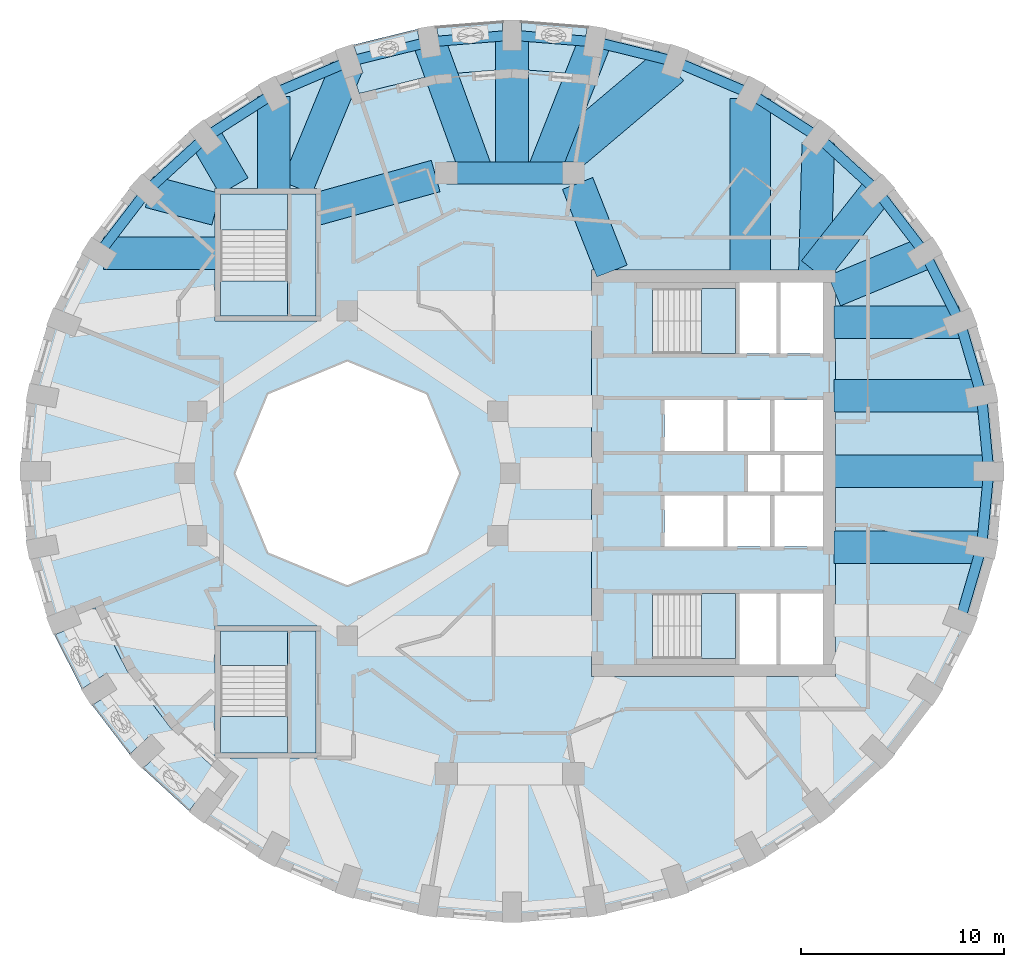
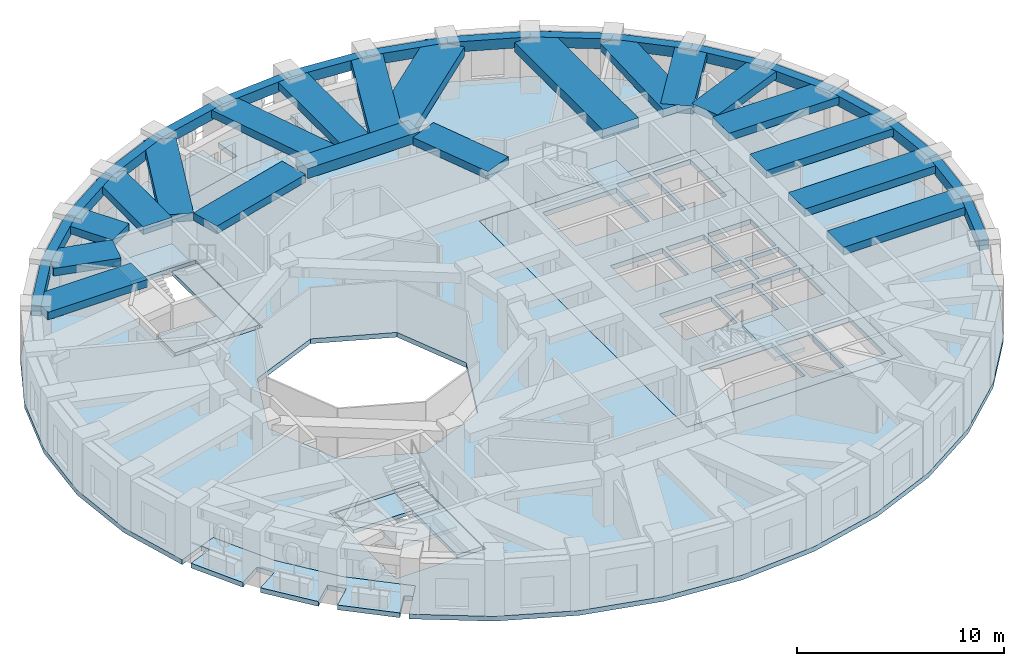
# One storey, part 2 of 11: 37 beams, 12 slabs, 4 elements without a shape of their own.
"""IFC4 building model written with IfcOpenShell, lengths in metres."""

from ifc_helpers import new_model, si_unit, direction, frame, origin, origin_2d, place, context, subcontext, project, spatial, polyline, rectangle, outline, extrude, material, layer, layer_set, material_profile, profile_set, type_object, element, aggregate, save


model = new_model("IFC4")

# Units and contexts
model_context = context("Model", 3, precision=1e-05, world=origin(), true_north=direction((0.0, 1.0)))
body_context = subcontext(model_context, "Body", "Model", "MODEL_VIEW")
ifc_project = project(units=[si_unit("LENGTHUNIT", "METRE"), si_unit("AREAUNIT", "SQUARE_METRE"), si_unit("VOLUMEUNIT", "CUBIC_METRE"), si_unit("PLANEANGLEUNIT", "RADIAN"), si_unit("MASSUNIT", "GRAM", prefix="KILO")], contexts=[model_context])

# Site, building, storey
site_placement = place(None, origin())
site = spatial("IfcSite", under=ifc_project, at=site_placement, CompositionType="ELEMENT")
building_placement = place(site_placement, origin())
building = spatial("IfcBuilding", under=site, at=building_placement, Name="Taillehof Tower", CompositionType="ELEMENT")
storey_placement = place(building_placement, frame((0.0, 0.0, 178.10009765625)))
storey = spatial("IfcBuildingStorey", under=building, at=storey_placement, Name="L50", CompositionType="ELEMENT", Elevation=178.10009765625)

# Beams
ifc_material_1 = material(Name="Concrete C50/60", Category="concrete")
ifc_material_profile_1 = material_profile(ifc_material_1, rectangle(XDim=1.10009765625, YDim=0.60009765625, at=origin_2d()), Name="RC 1100x600")
ifc_profile_set_1 = profile_set([ifc_material_profile_1], Name="Concrete C50/60")
beam_type_1 = type_object("IfcBeamType", Name="Mid-ring beam C50/60 1100x600", PredefinedType="BEAM", material=ifc_profile_set_1)
beam_1_placement = place(storey_placement, frame((3.125732421875, 14.772216796875, 2.719970703125), z_axis=(-1.0, 0.0, 0.0), x_axis=(0.0, -1.0, 0.0)))
element("IfcBeam", 1, at=beam_1_placement, inside=storey, type_object=beam_type_1, Name="Mid-ring beam MB01", PredefinedType="BEAM", context=body_context, shape_type="SweptSolid", body=[
    extrude(rectangle(XDim=1.10009765625, YDim=0.60009765625, at=origin_2d()), origin(), (0.0, 0.0, 1.0), 6.25146484375),
])
ifc_material_2 = material(Name="Concrete C50/60", Category="concrete")
ifc_material_profile_2 = material_profile(ifc_material_2, rectangle(XDim=1.60009765625, YDim=0.449951171875, at=origin_2d()), Name="RC 1600x450")
ifc_profile_set_2 = profile_set([ifc_material_profile_2], Name="Concrete C50/60")
beam_type_2 = type_object("IfcBeamType", Name="Radial band beam C50/60 1600x450", PredefinedType="BEAM", material=ifc_profile_set_2)
beam_2_placement = place(storey_placement, frame((23.550048828125, 0.10009765625, 2.794921875), z_axis=(-1.0, 0.0, 0.0), x_axis=(0.0, -1.0, 0.0)))
element("IfcBeam", 2, at=beam_2_placement, inside=storey, type_object=beam_type_2, Name="Radial band beam RB01", PredefinedType="BEAM", context=body_context, shape_type="SweptSolid", body=[
    extrude(rectangle(XDim=1.60009765625, YDim=0.449951171875, at=origin_2d()), origin(), (0.0, 0.0, 1.0), 7.60009765625),
])
beam_3_placement = place(storey_placement, frame((23.19384765625, 3.82470703125, 2.794921875), z_axis=(-1.0, 0.0, 0.0), x_axis=(0.0, -1.0, 0.0)))
element("IfcBeam", 3, at=beam_3_placement, inside=storey, type_object=beam_type_2, Name="Radial band beam RB02", PredefinedType="BEAM", context=body_context, shape_type="SweptSolid", body=[
    extrude(rectangle(XDim=1.60009765625, YDim=0.449951171875, at=origin_2d()), origin(), (0.0, 0.0, 1.0), 7.243896484375),
])
beam_4_placement = place(storey_placement, frame((22.08642578125, 7.436279296875, 2.794921875), z_axis=(-1.0, 0.0, 0.0), x_axis=(0.0, -1.0, 0.0)))
element("IfcBeam", 4, at=beam_4_placement, inside=storey, type_object=beam_type_2, Name="Radial band beam RB03", PredefinedType="BEAM", context=body_context, shape_type="SweptSolid", body=[
    extrude(rectangle(XDim=1.60009765625, YDim=0.449951171875, at=origin_2d()), origin(), (0.0, 0.0, 1.0), 6.136474609375),
])
beam_5_placement = place(storey_placement, frame((20.408203125, 10.824951171875, 2.794921875), z_axis=(-0.92395697655, -0.382496412381, 0.0), x_axis=(0.382496412381, -0.92395697655, 0.0)))
element("IfcBeam", 5, at=beam_5_placement, inside=storey, type_object=beam_type_2, Name="Radial band beam RB04", PredefinedType="BEAM", context=body_context, shape_type="SweptSolid", body=[
    extrude(rectangle(XDim=1.60009765625, YDim=0.449951171875, at=origin_2d()), origin(), (0.0, 0.0, 1.0), 4.821044921875),
])
beam_6_placement = place(storey_placement, frame((18.063720703125, 13.8876953125, 2.794921875), z_axis=(-0.618961692467, -0.785421175713, 0.0), x_axis=(0.785421175713, -0.618961692467, 0.0)))
element("IfcBeam", 6, at=beam_6_placement, inside=storey, type_object=beam_type_2, Name="Radial band beam RB05", PredefinedType="BEAM", context=body_context, shape_type="SweptSolid", body=[
    extrude(rectangle(XDim=1.60009765625, YDim=0.449951171875, at=origin_2d()), origin(), (0.0, 0.0, 1.0), 4.999755859375),
])
beam_7_placement = place(storey_placement, frame((15.166259765625, 16.259765625, 2.794921875), z_axis=(-0.026533506529, -0.999647924537, 0.0), x_axis=(0.999647924537, -0.026533506529, 0.0)))
element("IfcBeam", 7, at=beam_7_placement, inside=storey, type_object=beam_type_2, Name="Radial band beam RB06", PredefinedType="BEAM", context=body_context, shape_type="SweptSolid", body=[
    extrude(rectangle(XDim=1.60009765625, YDim=0.449951171875, at=origin_2d()), origin(), (0.0, 0.0, 1.0), 6.31201171875),
])
beam_8_placement = place(storey_placement, frame((4.172119140625, 21.22412109375, 2.794921875), z_axis=(-0.36711444375, -0.930175781877, 0.0), x_axis=(0.930175781877, -0.36711444375, 0.0)))
element("IfcBeam", 8, at=beam_8_placement, inside=storey, type_object=beam_type_2, Name="Radial band beam RB09", PredefinedType="BEAM", context=body_context, shape_type="SweptSolid", body=[
    extrude(rectangle(XDim=1.60009765625, YDim=0.449951171875, at=origin_2d()), origin(), (0.0, 0.0, 1.0), 6.936279296875),
])
beam_9_placement = place(storey_placement, frame((0.10009765625, 21.550048828125, 2.794921875), z_axis=(0.0, -1.0, 0.0), x_axis=(1.0, 0.0, 0.0)))
element("IfcBeam", 9, at=beam_9_placement, inside=storey, type_object=beam_type_2, Name="Radial band beam RB10", PredefinedType="BEAM", context=body_context, shape_type="SweptSolid", body=[
    extrude(rectangle(XDim=1.60009765625, YDim=0.449951171875, at=origin_2d()), origin(), (0.0, 0.0, 1.0), 6.77783203125),
])
beam_10_placement = place(storey_placement, frame((-3.97216796875, 21.22412109375, 2.794921875), z_axis=(0.341780181607, -0.939779925015, 0.0), x_axis=(0.939779925015, 0.341780181607, 0.0)))
element("IfcBeam", 10, at=beam_10_placement, inside=storey, type_object=beam_type_2, Name="Radial band beam RB11", PredefinedType="BEAM", context=body_context, shape_type="SweptSolid", body=[
    extrude(rectangle(XDim=1.60009765625, YDim=0.449951171875, at=origin_2d()), origin(), (0.0, 0.0, 1.0), 6.865234375),
])
beam_11_placement = place(storey_placement, frame((-8.04443359375, 19.95556640625, 2.794921875), z_axis=(-0.381176869418, -0.924502133162, 0.0), x_axis=(0.924502133162, -0.381176869418, 0.0)))
element("IfcBeam", 11, at=beam_11_placement, inside=storey, type_object=beam_type_2, Name="Radial band beam RB12", PredefinedType="BEAM", context=body_context, shape_type="SweptSolid", body=[
    extrude(rectangle(XDim=1.60009765625, YDim=0.449951171875, at=origin_2d()), origin(), (0.0, 0.0, 1.0), 6.382568359375),
])
beam_12_placement = place(storey_placement, frame((-11.625, 18.536376953125, 2.794921875), z_axis=(0.0, -1.0, 0.0), x_axis=(1.0, 0.0, 0.0)))
element("IfcBeam", 12, at=beam_12_placement, inside=storey, type_object=beam_type_2, Name="Radial band beam RB13", PredefinedType="BEAM", context=body_context, shape_type="SweptSolid", body=[
    extrude(rectangle(XDim=1.60009765625, YDim=0.449951171875, at=origin_2d()), origin(), (0.0, 0.0, 1.0), 4.58642578125),
])
beam_13_placement = place(storey_placement, frame((-14.973388671875, 16.53173828125, 2.794921875), z_axis=(0.502991419937, -0.864291404255, 0.0), x_axis=(0.864291404255, 0.502991419937, 0.0)))
element("IfcBeam", 13, at=beam_13_placement, inside=storey, type_object=beam_type_2, Name="Radial band beam RB14", PredefinedType="BEAM", context=body_context, shape_type="SweptSolid", body=[
    extrude(rectangle(XDim=1.60009765625, YDim=0.449951171875, at=origin_2d()), origin(), (0.0, 0.0, 1.0), 2.779296875),
])
beam_14_placement = place(storey_placement, frame((-17.72998046875, 13.8525390625, 2.794921875), z_axis=(0.966882543987, -0.255221758736, 0.0), x_axis=(0.255221758736, 0.966882543987, 0.0)))
element("IfcBeam", 14, at=beam_14_placement, inside=storey, type_object=beam_type_2, Name="Radial band beam RB15", PredefinedType="BEAM", context=body_context, shape_type="SweptSolid", body=[
    extrude(rectangle(XDim=1.60009765625, YDim=0.449951171875, at=origin_2d()), origin(), (0.0, 0.0, 1.0), 3.381591796875),
])
beam_15_placement = place(storey_placement, frame((-19.9990234375, 10.824951171875, 2.794921875), z_axis=(1.0, 0.0, 0.0), x_axis=(0.0, 1.0, 0.0)))
element("IfcBeam", 15, at=beam_15_placement, inside=storey, type_object=beam_type_2, Name="Radial band beam RB16", PredefinedType="BEAM", context=body_context, shape_type="SweptSolid", body=[
    extrude(rectangle(XDim=1.60009765625, YDim=0.449951171875, at=origin_2d()), origin(), (0.0, 0.0, 1.0), 5.549072265625),
])
beam_16_placement = place(storey_placement, frame((23.19384765625, -3.624755859375, 2.794921875), z_axis=(-1.0, 0.0, 0.0), x_axis=(0.0, -1.0, 0.0)))
element("IfcBeam", 16, at=beam_16_placement, inside=storey, type_object=beam_type_2, Name="Radial band beam RB36", PredefinedType="BEAM", context=body_context, shape_type="SweptSolid", body=[
    extrude(rectangle(XDim=1.60009765625, YDim=0.449951171875, at=origin_2d()), origin(), (0.0, 0.0, 1.0), 7.243896484375),
])
beam_17_placement = place(storey_placement, frame((3.32666015625, 14.26025390625, 2.794921875), z_axis=(0.365588707223, -0.930776502255, 0.0), x_axis=(0.930776502255, 0.365588707223, 0.0)))
element("IfcBeam", 17, at=beam_17_placement, inside=storey, type_object=beam_type_2, Name="Inner band beam IB205", PredefinedType="BEAM", context=body_context, shape_type="SweptSolid", body=[
    extrude(rectangle(XDim=1.60009765625, YDim=0.449951171875, at=origin_2d()), origin(), (0.0, 0.0, 1.0), 4.627197265625),
])
beam_18_placement = place(storey_placement, frame((-3.655517578125, 14.624755859375, 2.794921875), z_axis=(-0.963459369536, -0.267854518821, 0.0), x_axis=(0.267854518821, -0.963459369536, 0.0)))
element("IfcBeam", 18, at=beam_18_placement, inside=storey, type_object=beam_type_2, Name="Inner band beam IB206", PredefinedType="BEAM", context=body_context, shape_type="SweptSolid", body=[
    extrude(rectangle(XDim=1.60009765625, YDim=0.449951171875, at=origin_2d()), origin(), (0.0, 0.0, 1.0), 6.096923828125),
])
ifc_material_3 = material(Name="Concrete C50/60", Category="concrete")
ifc_material_profile_3 = material_profile(ifc_material_3, rectangle(XDim=2.0, YDim=0.550048828125, at=origin_2d()), Name="RC 2000x550")
ifc_profile_set_3 = profile_set([ifc_material_profile_3], Name="Concrete C50/60")
beam_type_3 = type_object("IfcBeamType", Name="Radial band beam C50/60 2000x550", PredefinedType="BEAM", material=ifc_profile_set_3)
beam_19_placement = place(storey_placement, frame((11.824951171875, 18.430908203125, 2.744873046875), z_axis=(0.0, -1.0, 0.0), x_axis=(1.0, 0.0, 0.0)))
element("IfcBeam", 19, at=beam_19_placement, inside=storey, type_object=beam_type_3, Name="Radial band beam RB07", PredefinedType="BEAM", context=body_context, shape_type="SweptSolid", body=[
    extrude(rectangle(XDim=2.0, YDim=0.550048828125, at=origin_2d()), origin(), (0.0, 0.0, 1.0), 8.48095703125),
])
beam_20_placement = place(storey_placement, frame((7.900390625, 20.070556640625, 2.744873046875), z_axis=(-0.764038060196, -0.645171173079, 0.0), x_axis=(0.645171173079, -0.764038060196, 0.0)))
element("IfcBeam", 20, at=beam_20_placement, inside=storey, type_object=beam_type_3, Name="Radial band beam RB08", PredefinedType="BEAM", context=body_context, shape_type="SweptSolid", body=[
    extrude(rectangle(XDim=2.0, YDim=0.550048828125, at=origin_2d()), origin(), (0.0, 0.0, 1.0), 7.880859375),
])
ifc_material_4 = material(Name="Concrete C50/60", Category="concrete")
ifc_material_profile_4 = material_profile(ifc_material_4, rectangle(XDim=0.5, YDim=0.60009765625, at=origin_2d()), Name="RC 500x600")
ifc_profile_set_4 = profile_set([ifc_material_profile_4], Name="Concrete C50/60")
beam_type_4 = type_object("IfcBeamType", Name="Spandrel beam C50/60 500x600", PredefinedType="SPANDREL", material=ifc_profile_set_4)
beam_21_placement = place(storey_placement, frame((23.550048828125, 0.10009765625, 2.719970703125), z_axis=(-0.095200147056, 0.995458151808, 0.0), x_axis=(-0.995458151808, -0.095200147056, 0.0)))
element("IfcBeam", 21, at=beam_21_placement, inside=storey, type_object=beam_type_4, Name="Spandrel beam SB01", PredefinedType="SPANDREL", context=body_context, shape_type="SweptSolid", body=[
    extrude(rectangle(XDim=0.5, YDim=0.60009765625, at=origin_2d()), origin(), (0.0, 0.0, 1.0), 3.74169921875),
])
beam_22_placement = place(storey_placement, frame((23.19384765625, 3.82470703125, 2.719970703125), z_axis=(-0.281158162606, 0.959661444261, 0.0), x_axis=(-0.959661444261, -0.281158162606, 0.0)))
element("IfcBeam", 22, at=beam_22_placement, inside=storey, type_object=beam_type_4, Name="Spandrel beam SB02", PredefinedType="SPANDREL", context=body_context, shape_type="SweptSolid", body=[
    extrude(rectangle(XDim=0.5, YDim=0.60009765625, at=origin_2d()), origin(), (0.0, 0.0, 1.0), 3.763427734375),
])
beam_23_placement = place(storey_placement, frame((22.1357421875, 7.436279296875, 2.719970703125), z_axis=(-0.454183451696, 0.890908183937, 0.0), x_axis=(-0.890908183937, -0.454183451696, 0.0)))
element("IfcBeam", 23, at=beam_23_placement, inside=storey, type_object=beam_type_4, Name="Spandrel beam SB03", PredefinedType="SPANDREL", context=body_context, shape_type="SweptSolid", body=[
    extrude(rectangle(XDim=0.5, YDim=0.60009765625, at=origin_2d()), origin(), (0.0, 0.0, 1.0), 3.8037109375),
])
beam_24_placement = place(storey_placement, frame((20.408203125, 10.824951171875, 2.719970703125), z_axis=(-0.60784004271, 0.794059495553, 0.0), x_axis=(-0.794059495553, -0.60784004271, 0.0)))
element("IfcBeam", 24, at=beam_24_placement, inside=storey, type_object=beam_type_4, Name="Spandrel beam SB04", PredefinedType="SPANDREL", context=body_context, shape_type="SweptSolid", body=[
    extrude(rectangle(XDim=0.5, YDim=0.60009765625, at=origin_2d()), origin(), (0.0, 0.0, 1.0), 3.857177734375),
])
beam_25_placement = place(storey_placement, frame((18.063720703125, 13.8876953125, 2.719970703125), z_axis=(-0.737849657471, 0.674965097594, 0.0), x_axis=(-0.674965097594, -0.737849657471, 0.0)))
element("IfcBeam", 25, at=beam_25_placement, inside=storey, type_object=beam_type_4, Name="Spandrel beam SB05", PredefinedType="SPANDREL", context=body_context, shape_type="SweptSolid", body=[
    extrude(rectangle(XDim=0.5, YDim=0.60009765625, at=origin_2d()), origin(), (0.0, 0.0, 1.0), 3.917236328125),
])
beam_26_placement = place(storey_placement, frame((15.17333984375, 16.53173828125, 2.719970703125), z_axis=(-0.842092940799, 0.53933243835, 0.0), x_axis=(-0.53933243835, -0.842092940799, 0.0)))
element("IfcBeam", 26, at=beam_26_placement, inside=storey, type_object=beam_type_4, Name="Spandrel beam SB06", PredefinedType="SPANDREL", context=body_context, shape_type="SweptSolid", body=[
    extrude(rectangle(XDim=0.5, YDim=0.60009765625, at=origin_2d()), origin(), (0.0, 0.0, 1.0), 3.976318359375),
])
beam_27_placement = place(storey_placement, frame((11.824951171875, 18.67626953125, 2.719970703125), z_axis=(-0.919827173659, 0.392323808351, 0.0), x_axis=(-0.392323808351, -0.919827173659, 0.0)))
element("IfcBeam", 27, at=beam_27_placement, inside=storey, type_object=beam_type_4, Name="Spandrel beam SB07", PredefinedType="SPANDREL", context=body_context, shape_type="SweptSolid", body=[
    extrude(rectangle(XDim=0.5, YDim=0.60009765625, at=origin_2d()), origin(), (0.0, 0.0, 1.0), 4.027587890625),
])
beam_28_placement = place(storey_placement, frame((8.120361328125, 20.25634765625, 2.719970703125), z_axis=(-0.971248584585, 0.238067610023, 0.0), x_axis=(-0.238067610023, -0.971248584585, 0.0)))
element("IfcBeam", 28, at=beam_28_placement, inside=storey, type_object=beam_type_4, Name="Spandrel beam SB08", PredefinedType="SPANDREL", context=body_context, shape_type="SweptSolid", body=[
    extrude(rectangle(XDim=0.5, YDim=0.60009765625, at=origin_2d()), origin(), (0.0, 0.0, 1.0), 4.065185546875),
])
beam_29_placement = place(storey_placement, frame((4.172119140625, 21.22412109375, 2.719970703125), z_axis=(-0.996812047205, 0.079785603634, 0.0), x_axis=(-0.079785603634, -0.996812047205, 0.0)))
element("IfcBeam", 29, at=beam_29_placement, inside=storey, type_object=beam_type_4, Name="Spandrel beam SB09", PredefinedType="SPANDREL", context=body_context, shape_type="SweptSolid", body=[
    extrude(rectangle(XDim=0.5, YDim=0.60009765625, at=origin_2d()), origin(), (0.0, 0.0, 1.0), 4.0849609375),
])
beam_30_placement = place(storey_placement, frame((0.10009765625, 21.550048828125, 2.719970703125), z_axis=(-0.996812427616, -0.079780850771, 0.0), x_axis=(0.079780850771, -0.996812427616, 0.0)))
element("IfcBeam", 30, at=beam_30_placement, inside=storey, type_object=beam_type_4, Name="Spandrel beam SB10", PredefinedType="SPANDREL", context=body_context, shape_type="SweptSolid", body=[
    extrude(rectangle(XDim=0.5, YDim=0.60009765625, at=origin_2d()), origin(), (0.0, 0.0, 1.0), 4.085205078125),
])
beam_31_placement = place(storey_placement, frame((-3.97216796875, 21.22412109375, 2.719970703125), z_axis=(-0.971248584585, -0.238067610023, 0.0), x_axis=(0.238067610023, -0.971248584585, 0.0)))
element("IfcBeam", 31, at=beam_31_placement, inside=storey, type_object=beam_type_4, Name="Spandrel beam SB11", PredefinedType="SPANDREL", context=body_context, shape_type="SweptSolid", body=[
    extrude(rectangle(XDim=0.5, YDim=0.60009765625, at=origin_2d()), origin(), (0.0, 0.0, 1.0), 4.065185546875),
])
beam_32_placement = place(storey_placement, frame((-7.92041015625, 20.25634765625, 2.719970703125), z_axis=(-0.919827173659, -0.392323808351, 0.0), x_axis=(0.392323808351, -0.919827173659, 0.0)))
element("IfcBeam", 32, at=beam_32_placement, inside=storey, type_object=beam_type_4, Name="Spandrel beam SB12", PredefinedType="SPANDREL", context=body_context, shape_type="SweptSolid", body=[
    extrude(rectangle(XDim=0.5, YDim=0.60009765625, at=origin_2d()), origin(), (0.0, 0.0, 1.0), 4.027587890625),
])
beam_33_placement = place(storey_placement, frame((-11.625, 18.67626953125, 2.719970703125), z_axis=(-0.842092940799, -0.53933243835, 0.0), x_axis=(0.53933243835, -0.842092940799, 0.0)))
element("IfcBeam", 33, at=beam_33_placement, inside=storey, type_object=beam_type_4, Name="Spandrel beam SB13", PredefinedType="SPANDREL", context=body_context, shape_type="SweptSolid", body=[
    extrude(rectangle(XDim=0.5, YDim=0.60009765625, at=origin_2d()), origin(), (0.0, 0.0, 1.0), 3.976318359375),
])
beam_34_placement = place(storey_placement, frame((-14.973388671875, 16.53173828125, 2.719970703125), z_axis=(-0.737849657471, -0.674965097594, 0.0), x_axis=(0.674965097594, -0.737849657471, 0.0)))
element("IfcBeam", 34, at=beam_34_placement, inside=storey, type_object=beam_type_4, Name="Spandrel beam SB14", PredefinedType="SPANDREL", context=body_context, shape_type="SweptSolid", body=[
    extrude(rectangle(XDim=0.5, YDim=0.60009765625, at=origin_2d()), origin(), (0.0, 0.0, 1.0), 3.917236328125),
])
beam_35_placement = place(storey_placement, frame((-17.86376953125, 13.8876953125, 2.719970703125), z_axis=(-0.60784004271, -0.794059495553, 0.0), x_axis=(0.794059495553, -0.60784004271, 0.0)))
element("IfcBeam", 35, at=beam_35_placement, inside=storey, type_object=beam_type_4, Name="Spandrel beam SB15", PredefinedType="SPANDREL", context=body_context, shape_type="SweptSolid", body=[
    extrude(rectangle(XDim=0.5, YDim=0.60009765625, at=origin_2d()), origin(), (0.0, 0.0, 1.0), 3.857177734375),
])
beam_36_placement = place(storey_placement, frame((22.1357421875, -7.236328125, 2.719970703125), z_axis=(0.281158162606, 0.959661444261, 0.0), x_axis=(-0.959661444261, 0.281158162606, 0.0)))
element("IfcBeam", 36, at=beam_36_placement, inside=storey, type_object=beam_type_4, Name="Spandrel beam SB35", PredefinedType="SPANDREL", context=body_context, shape_type="SweptSolid", body=[
    extrude(rectangle(XDim=0.5, YDim=0.60009765625, at=origin_2d()), origin(), (0.0, 0.0, 1.0), 3.763427734375),
])
beam_37_placement = place(storey_placement, frame((23.19384765625, -3.624755859375, 2.719970703125), z_axis=(0.095193963834, 0.995458743118, 0.0), x_axis=(-0.995458743118, 0.095193963834, 0.0)))
element("IfcBeam", 37, at=beam_37_placement, inside=storey, type_object=beam_type_4, Name="Spandrel beam SB36", PredefinedType="SPANDREL", context=body_context, shape_type="SweptSolid", body=[
    extrude(rectangle(XDim=0.5, YDim=0.60009765625, at=origin_2d()), origin(), (0.0, 0.0, 1.0), 3.741943359375),
])

# Slabs
ifc_material_5 = material(Name="Concrete C40/50", Category="concrete")
ifc_layer_1 = layer(ifc_material_5, 0.280029296875)
ifc_layer_set_1 = layer_set([ifc_layer_1], Name="Balcony slab 280")
slab_type_1 = type_object("IfcSlabType", Name="Balcony slab 280", PredefinedType="USERDEFINED", material=ifc_layer_set_1)
slab_1_placement = place(storey_placement, frame((0.0, 0.0, -0.280029296875)))
element("IfcSlab", 38, at=slab_1_placement, inside=storey, type_object=slab_type_1, Name="Balcony L50 pocket 6", ObjectType="BALCONY", PredefinedType="USERDEFINED", context=body_context, shape_type="SweptSolid", body=[
    extrude(outline(polyline([(-13.991455078125, -15.00439453125), (-14.541015625, -15.718017578125), (-14.892333984375, -15.447509765625), (-15.783447265625, -16.605224609375), (-18.063232421875, -14.513916015625), (-16.98974609375, -13.531982421875), (-17.630859375, -12.8310546875), (-18.7080078125, -13.81640625), (-20.551025390625, -11.40185546875), (-19.320556640625, -10.62744140625), (-19.82666015625, -9.823486328125), (-21.06103515625, -10.600341796875), (-22.41455078125, -7.937255859375), (-21.0634765625, -7.4013671875), (-21.24658203125, -6.939697265625), (-20.40966796875, -6.607666015625), (-18.82666015625, -9.7216796875), (-16.66748046875, -12.550048828125), (-13.991455078125, -15.00439453125)])), origin(), (0.0, 0.0, 1.0), 0.280029296875),
])
slab_2_placement = place(storey_placement, frame((0.0, 0.0, -0.280029296875)))
element("IfcSlab", 39, at=slab_2_placement, inside=storey, type_object=slab_type_1, Name="Balcony L50 pocket 2", ObjectType="BALCONY", PredefinedType="USERDEFINED", context=body_context, shape_type="SweptSolid", body=[
    extrude(outline(polyline([(-7.416748046875, 18.684814453125), (-7.701904296875, 19.53857421875), (-7.232177734375, 19.695556640625), (-7.694580078125, 21.079833984375), (-4.5546875, 21.8515625), (-4.3212890625, 20.407958984375), (-3.38330078125, 20.5595703125), (-3.61669921875, 22.001708984375), (-0.375, 22.261962890625), (-0.375, 20.800048828125), (0.574951171875, 20.800048828125), (0.574951171875, 22.261962890625), (3.816650390625, 22.001708984375), (3.58349609375, 20.5595703125), (4.062744140625, 20.48193359375), (3.9189453125, 19.593505859375), (0.10009765625, 19.89990234375), (-3.718994140625, 19.593505859375), (-7.416748046875, 18.684814453125)])), origin(), (0.0, 0.0, 1.0), 0.280029296875),
])
ifc_material_6 = material(Name="Concrete C40/50", Category="concrete")
ifc_layer_2 = layer(ifc_material_6, 0.280029296875)
ifc_layer_set_2 = layer_set([ifc_layer_2], Name="Core floor slab C40/50 280")
slab_type_2 = type_object("IfcSlabType", Name="Core floor slab C40/50 280", PredefinedType="FLOOR", material=ifc_layer_set_2)
slab_3_placement = place(storey_placement, frame((0.0, 0.0, -0.280029296875)))
element("IfcSlab", 40, at=slab_3_placement, inside=storey, type_object=slab_type_2, Name="Core floor L50", PredefinedType="FLOOR", context=body_context, shape_type="SweptSolid", body=[
    extrude(outline(polyline([(4.0, -10.0), (4.0, 10.0), (16.0, 10.0), (16.0, -10.0), (4.0, -10.0)]), holes=[polyline([(11.10009765625, -9.10009765625), (11.10009765625, -5.89990234375), (7.00048828125, -5.89990234375), (7.00048828125, -9.10009765625), (11.10009765625, -9.10009765625)]), polyline([(10.5, -3.60009765625), (10.5, -1.10009765625), (7.60009765625, -1.10009765625), (7.60009765625, -3.60009765625), (10.5, -3.60009765625)]), polyline([(12.800048828125, -3.60009765625), (12.800048828125, -1.10009765625), (10.699951171875, -1.10009765625), (10.699951171875, -3.60009765625), (12.800048828125, -3.60009765625)]), polyline([(10.5, 1.10009765625), (10.5, 3.60009765625), (7.60009765625, 3.60009765625), (7.60009765625, 1.10009765625), (10.5, 1.10009765625)]), polyline([(12.800048828125, 1.10009765625), (12.800048828125, 3.60009765625), (10.699951171875, 3.60009765625), (10.699951171875, 1.10009765625), (12.800048828125, 1.10009765625)]), polyline([(11.10009765625, 5.89990234375), (11.10009765625, 9.10009765625), (7.00048828125, 9.10009765625), (7.00048828125, 5.89990234375), (11.10009765625, 5.89990234375)]), polyline([(13.10009765625, 5.89990234375), (13.10009765625, 9.39990234375), (11.300048828125, 9.39990234375), (11.300048828125, 5.89990234375), (13.10009765625, 5.89990234375)]), polyline([(13.10009765625, -5.89990234375), (11.300048828125, -5.89990234375), (11.300048828125, -9.39990234375), (13.10009765625, -9.39990234375), (13.10009765625, -5.89990234375)]), polyline([(15.39990234375, -9.39990234375), (15.39990234375, -5.89990234375), (13.300048828125, -5.89990234375), (13.300048828125, -9.39990234375), (15.39990234375, -9.39990234375)]), polyline([(15.39990234375, -3.60009765625), (15.39990234375, -1.10009765625), (13.0, -1.10009765625), (13.0, -3.60009765625), (15.39990234375, -3.60009765625)]), polyline([(13.300048828125, -0.89990234375), (13.300048828125, 0.89990234375), (11.699951171875, 0.89990234375), (11.699951171875, -0.89990234375), (13.300048828125, -0.89990234375)]), polyline([(15.39990234375, -0.89990234375), (15.39990234375, 0.89990234375), (13.5, 0.89990234375), (13.5, -0.89990234375), (15.39990234375, -0.89990234375)]), polyline([(15.39990234375, 1.10009765625), (15.39990234375, 3.60009765625), (13.0, 3.60009765625), (13.0, 1.10009765625), (15.39990234375, 1.10009765625)]), polyline([(15.39990234375, 5.89990234375), (15.39990234375, 9.39990234375), (13.300048828125, 9.39990234375), (13.300048828125, 5.89990234375), (15.39990234375, 5.89990234375)])]), origin(), (0.0, 0.0, 1.0), 0.280029296875),
])
ifc_material_7 = material(Name="Concrete C40/50", Category="concrete")
ifc_layer_3 = layer(ifc_material_7, 0.280029296875)
ifc_layer_set_3 = layer_set([ifc_layer_3], Name="Floor slab 280")
slab_type_3 = type_object("IfcSlabType", Name="Floor slab 280", PredefinedType="FLOOR", material=ifc_layer_set_3)
slab_4_placement = place(storey_placement, frame((0.0, 0.0, -0.280029296875)))
element("IfcSlab", 41, at=slab_4_placement, inside=storey, type_object=slab_type_3, Name="Floor slab L50", PredefinedType="FLOOR", context=body_context, shape_type="SweptSolid", body=[
    extrude(outline(polyline([(24.300048828125, 0.10009765625), (23.932373046875, 3.955078125), (22.840576171875, 7.69287109375), (21.057861328125, 11.199951171875), (18.63818359375, 14.369873046875), (15.655517578125, 17.106201171875), (12.199951171875, 19.32568359375), (8.376953125, 20.961181640625), (4.30224609375, 21.962646484375), (3.919189453125, 19.593505859375), (0.10009765625, 19.89990234375), (-3.718994140625, 19.593505859375), (-7.416748046875, 18.684814453125), (-8.177001953125, 20.961181640625), (-12.0, 19.32568359375), (-15.45556640625, 17.106201171875), (-18.438232421875, 14.369873046875), (-20.85791015625, 11.199951171875), (-22.640625, 7.69287109375), (-23.732421875, 3.955078125), (-24.10009765625, 0.10009765625), (-23.732421875, -3.7548828125), (-22.640625, -7.492919921875), (-20.40966796875, -6.607666015625), (-18.82666015625, -9.7216796875), (-16.66748046875, -12.550048828125), (-13.991455078125, -15.00439453125), (-15.45556640625, -16.90625), (-12.0, -19.125732421875), (-8.177001953125, -20.76123046875), (-4.102294921875, -21.7626953125), (0.10009765625, -22.10009765625), (4.30224609375, -21.7626953125), (8.376953125, -20.76123046875), (12.199951171875, -19.125732421875), (15.655517578125, -16.90625), (18.63818359375, -14.169921875), (21.057861328125, -11.0), (22.840576171875, -7.492919921875), (23.932373046875, -3.7548828125), (24.300048828125, 0.10009765625)]), holes=[polyline([(-14.5, -7.5), (-9.5, -7.5), (-9.5, -14.0), (-14.5, -14.0), (-14.5, -7.5)]), polyline([(-8.0, -5.5), (-11.88916015625, -3.88916015625), (-13.5, 0.0), (-11.88916015625, 3.88916015625), (-8.0, 5.5), (-4.11083984375, 3.88916015625), (-2.5, 0.0), (-4.11083984375, -3.88916015625), (-8.0, -5.5)]), polyline([(16.0, 10.0), (16.0, -10.0), (4.0, -10.0), (4.0, 10.0), (16.0, 10.0)]), polyline([(-14.5, 14.0), (-9.5, 14.0), (-9.5, 7.5), (-14.5, 7.5), (-14.5, 14.0)])]), origin(), (0.0, 0.0, 1.0), 0.280029296875),
])

# Stair, slab
ifc_material_8 = material(Name="Concrete C40/50", Category="concrete")
stair_type = type_object("IfcStairType", Name="Exit stair half-turn", PredefinedType="HALF_TURN_STAIR", material=ifc_material_8)
stair_1_placement = place(storey_placement, origin())
stair_1 = element("IfcStair", 42, at=stair_1_placement, inside=storey, type_object=stair_type, Name="Exit stair S1", PredefinedType="HALF_TURN_STAIR")
ifc_material_9 = material(Name="Concrete C40/50", Category="concrete")
ifc_layer_4 = layer(ifc_material_9, 0.2099609375)
ifc_layer_set_4 = layer_set([ifc_layer_4], Name="Stair landing C40/50 210")
slab_type_4 = type_object("IfcSlabType", Name="Stair landing C40/50 210", PredefinedType="LANDING", material=ifc_layer_set_4)
slab_5_placement = place(storey_placement, frame((0.0, 0.0, 1.43994140625)))
slab_5 = element("IfcSlab", 43, at=slab_5_placement, type_object=slab_type_4, Name="S1 landing 1", PredefinedType="LANDING", context=body_context, shape_type="SweptSolid", body=[
    extrude(outline(polyline([(9.429931640625, 5.89990234375), (11.10009765625, 5.89990234375), (11.10009765625, 9.10009765625), (9.429931640625, 9.10009765625), (9.429931640625, 5.89990234375)])), origin(), (0.0, 0.0, 1.0), 0.2099609375),
])
aggregate(stair_1, [slab_5])

stair_2_placement = place(storey_placement, origin())
stair_2 = element("IfcStair", 44, at=stair_2_placement, inside=storey, type_object=stair_type, Name="Exit stair S2", PredefinedType="HALF_TURN_STAIR")
slab_6_placement = place(storey_placement, frame((0.0, 0.0, 1.43994140625)))
slab_6 = element("IfcSlab", 45, at=slab_6_placement, type_object=slab_type_4, Name="S2 landing 1", PredefinedType="LANDING", context=body_context, shape_type="SweptSolid", body=[
    extrude(outline(polyline([(9.429931640625, -5.89990234375), (11.10009765625, -5.89990234375), (11.10009765625, -9.10009765625), (9.429931640625, -9.10009765625), (9.429931640625, -5.89990234375)])), origin(), (0.0, 0.0, 1.0), 0.2099609375),
])
aggregate(stair_2, [slab_6])

stair_3_placement = place(storey_placement, origin())
stair_3 = element("IfcStair", 46, at=stair_3_placement, inside=storey, type_object=stair_type, Name="Exit stair S3", PredefinedType="HALF_TURN_STAIR")
slab_7_placement = place(storey_placement, frame((0.0, 0.0, 1.43994140625)))
slab_7 = element("IfcSlab", 47, at=slab_7_placement, type_object=slab_type_4, Name="S3 landing 1", PredefinedType="LANDING", context=body_context, shape_type="SweptSolid", body=[
    extrude(outline(polyline([(-14.25, 11.969970703125), (-14.25, 13.75), (-10.949951171875, 13.75), (-10.949951171875, 11.969970703125), (-14.25, 11.969970703125)])), origin(), (0.0, 0.0, 1.0), 0.2099609375),
])
aggregate(stair_3, [slab_7])

stair_4_placement = place(storey_placement, origin())
stair_4 = element("IfcStair", 48, at=stair_4_placement, inside=storey, type_object=stair_type, Name="Exit stair S4", PredefinedType="HALF_TURN_STAIR")
slab_8_placement = place(storey_placement, frame((0.0, 0.0, 1.43994140625)))
slab_8 = element("IfcSlab", 49, at=slab_8_placement, type_object=slab_type_4, Name="S4 landing 1", PredefinedType="LANDING", context=body_context, shape_type="SweptSolid", body=[
    extrude(outline(polyline([(-14.25, -11.969970703125), (-14.25, -13.75), (-10.949951171875, -13.75), (-10.949951171875, -11.969970703125), (-14.25, -11.969970703125)])), origin(), (0.0, 0.0, 1.0), 0.2099609375),
])
aggregate(stair_4, [slab_8])

# Slabs
slab_9_placement = place(storey_placement, frame((0.0, 0.0, -0.210205078125)))
element("IfcSlab", 50, at=slab_9_placement, inside=storey, type_object=slab_type_4, Name="Stair S3 floor landing", PredefinedType="LANDING", context=body_context, shape_type="SweptSolid", body=[
    extrude(outline(polyline([(-14.25, 7.75), (-14.25, 9.449951171875), (-10.949951171875, 9.449951171875), (-10.949951171875, 7.75), (-14.25, 7.75)])), origin(), (0.0, 0.0, 1.0), 0.210205078125),
])
slab_10_placement = place(storey_placement, frame((0.0, 0.0, -0.210205078125)))
element("IfcSlab", 51, at=slab_10_placement, inside=storey, type_object=slab_type_4, Name="Stair lobby S3 floor", PredefinedType="LANDING", context=body_context, shape_type="SweptSolid", body=[
    extrude(outline(polyline([(-10.949951171875, 7.75), (-9.550048828125, 7.75), (-9.550048828125, 13.75), (-10.949951171875, 13.75), (-10.949951171875, 7.75)])), origin(), (0.0, 0.0, 1.0), 0.210205078125),
])
slab_11_placement = place(storey_placement, frame((0.0, 0.0, -0.210205078125)))
element("IfcSlab", 52, at=slab_11_placement, inside=storey, type_object=slab_type_4, Name="Stair S4 floor landing", PredefinedType="LANDING", context=body_context, shape_type="SweptSolid", body=[
    extrude(outline(polyline([(-14.25, -7.75), (-14.25, -9.449951171875), (-10.949951171875, -9.449951171875), (-10.949951171875, -7.75), (-14.25, -7.75)])), origin(), (0.0, 0.0, 1.0), 0.210205078125),
])
slab_12_placement = place(storey_placement, frame((0.0, 0.0, -0.210205078125)))
element("IfcSlab", 53, at=slab_12_placement, inside=storey, type_object=slab_type_4, Name="Stair lobby S4 floor", PredefinedType="LANDING", context=body_context, shape_type="SweptSolid", body=[
    extrude(outline(polyline([(-10.949951171875, -13.75), (-9.550048828125, -13.75), (-9.550048828125, -7.75), (-10.949951171875, -7.75), (-10.949951171875, -13.75)])), origin(), (0.0, 0.0, 1.0), 0.210205078125),
])

save(model, "model.ifc")
